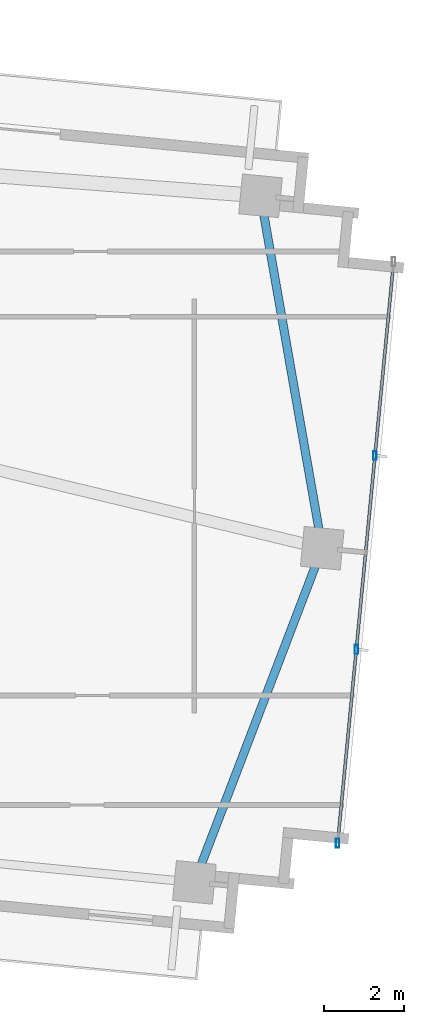
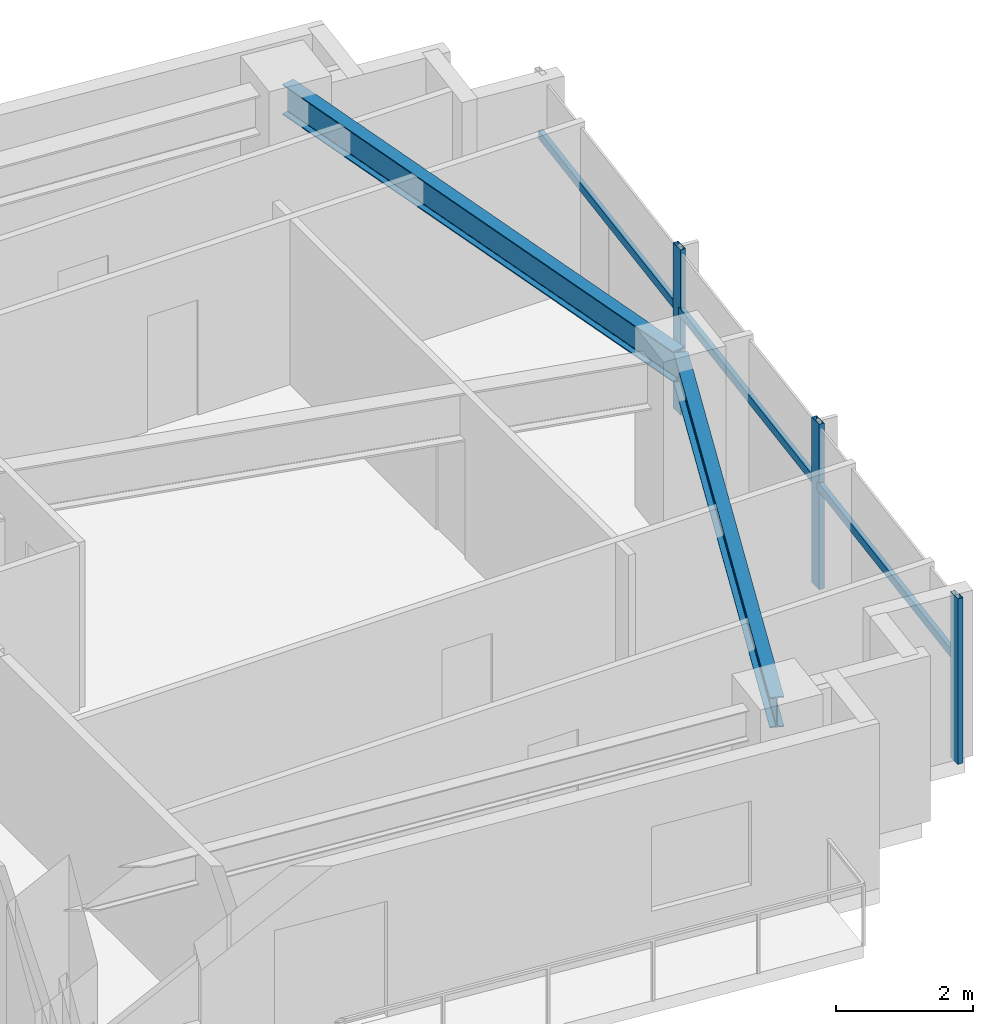
# One storey, part 11 of 20: 6 members, 2 beams, 1 element without a shape of its own.
"""IFC4 building model written with IfcOpenShell, lengths in metres."""

from ifc_helpers import new_model, si_unit, direction, frame, origin, origin_2d, place, context, subcontext, project, spatial, hollow_rectangle, i_section, extrude, source, transform, mapped, material, material_profile, profile_set, type_object, type_shapes, element, aggregate, save


model = new_model("IFC4")

# Units and contexts
model_context = context("Model", 3, precision=1e-05, world=origin(), true_north=direction((0.0, 1.0)))
body_context = subcontext(model_context, "Body", "Model", "MODEL_VIEW")
ifc_project = project(units=[si_unit("LENGTHUNIT", "METRE"), si_unit("AREAUNIT", "SQUARE_METRE"), si_unit("VOLUMEUNIT", "CUBIC_METRE"), si_unit("PLANEANGLEUNIT", "RADIAN"), si_unit("MASSUNIT", "GRAM", prefix="KILO")], contexts=[model_context])

# Site, building, storey
site_placement = place(None, origin())
site = spatial("IfcSite", under=ifc_project, at=site_placement, CompositionType="ELEMENT")
building_placement = place(site_placement, origin())
building = spatial("IfcBuilding", under=site, at=building_placement, Name="Astriad Promenade Condominiums", CompositionType="ELEMENT")
storey_placement = place(building_placement, frame((0.0, 0.0, 134.199951171875)))
storey = spatial("IfcBuildingStorey", under=building, at=storey_placement, Name="L38", CompositionType="ELEMENT", Elevation=134.199951171875)

# Beams
ifc_material_1 = material(Name="Steel ASTM A992 Grade 50", Category="steel")
ifc_material_profile_1 = material_profile(ifc_material_1, i_section(OverallWidth=0.210693359375, OverallDepth=0.53955078125, WebThickness=0.01171875, FlangeThickness=0.018798828125, FilletRadius=0.0166015625, at=origin_2d()), Name="W21X73")
ifc_profile_set_1 = profile_set([ifc_material_profile_1], Name="Steel ASTM A992 Grade 50")
beam_type = type_object("IfcBeamType", Name="STEEL SPANDREL BEAM W21X73", PredefinedType="SPANDREL", material=ifc_profile_set_1)
shared_shape_1 = source(origin(), body_context, "Body", "SweptSolid", [
    extrude(i_section(OverallWidth=0.210693359375, OverallDepth=0.53955078125, WebThickness=0.01171875, FlangeThickness=0.018798828125, FilletRadius=0.0166015625, at=origin_2d()), origin(), (0.0, 0.0, 1.0), 8.8623046875),
])
type_shapes(beam_type, [shared_shape_1])
for number, where, z_axis, x_axis, name in (
    (1, (55.081298828125, 6.033447265625, 2.670166015625), (0.357298632827, 0.933990196405, 0.0), (-0.933990196405, 0.357298632827, 0.0), "Perimeter Spandrel Beam SP-E1-L38"),
    (2, (58.25537109375, 14.3876953125, 2.670166015625), (-0.172532686951, 0.985003792852, 0.0), (-0.985003792852, -0.172532686951, 0.0), "Perimeter Spandrel Beam SP-E2-L38"),
):
    element("IfcBeam", number, at=place(storey_placement, frame(where, z_axis=z_axis, x_axis=x_axis)), inside=storey, type_object=beam_type, Name=name, PredefinedType="SPANDREL", context=body_context, shape_type="MappedRepresentation", body=[
        mapped(shared_shape_1, transform((0.0, 0.0, 0.0), scale=1.0)),
    ])

# Curtain wall, members
ifc_material_2 = material(Name="Anodised aluminium Black Dark Glass Unitised", Category="aluminium")
curtain_wall_type = type_object("IfcCurtainWallType", Name="CW-B34-DARK", PredefinedType="USERDEFINED", material=ifc_material_2)
curtain_wall_placement = place(storey_placement, origin())
curtain_wall = element("IfcCurtainWall", 3, at=curtain_wall_placement, inside=storey, type_object=curtain_wall_type, Name="CW-L38-E", ObjectType="UNITISED_CURTAIN_WALL", PredefinedType="USERDEFINED")
ifc_material_3 = material(Name="Anodised aluminium 6063-T6 Black", Category="aluminium")
ifc_material_profile_2 = material_profile(ifc_material_3, hollow_rectangle(XDim=0.0849609375, YDim=0.219970703125, WallThickness=0.0048828125, at=origin_2d()), Name="ALU-MUL-85X220")
ifc_profile_set_2 = profile_set([ifc_material_profile_2], Name="Anodised aluminium 6063-T6 Black")
member_type_1 = type_object("IfcMemberType", Name="MUL-ALU-MUL-85X220", PredefinedType="MULLION", material=ifc_profile_set_2)
shared_shape_2 = source(origin(), body_context, "Body", "SweptSolid", [
    extrude(hollow_rectangle(XDim=0.0849609375, YDim=0.219970703125, WallThickness=0.0048828125, at=origin_2d()), origin(), (0.0, 0.0, 1.0), 2.93994140625),
])
type_shapes(member_type_1, [shared_shape_2])
member_1_placement = place(storey_placement, frame((59.580322265625, 16.666015625, 0.0), z_axis=(0.0, 0.0, 1.0), x_axis=(1.0, 0.0, 0.0)))
member_1 = element("IfcMember", 4, at=member_1_placement, type_object=member_type_1, Name="CW-L38-E-MUL-01", PredefinedType="MULLION", context=body_context, shape_type="MappedRepresentation", body=[
    mapped(shared_shape_2, transform((0.0, 0.0, 0.0), scale=1.0)),
])
member_2_placement = place(storey_placement, frame((59.114013671875, 11.82177734375, 0.0), z_axis=(0.0, 0.0, 1.0), x_axis=(1.0, 0.0, 0.0)))
member_2 = element("IfcMember", 5, at=member_2_placement, type_object=member_type_1, Name="CW-L38-E-MUL-02", PredefinedType="MULLION", context=body_context, shape_type="MappedRepresentation", body=[
    mapped(shared_shape_2, transform((0.0, 0.0, 0.0), scale=1.0)),
])
member_3_placement = place(storey_placement, frame((58.6474609375, 6.977294921875, 0.0), z_axis=(0.0, 0.0, 1.0), x_axis=(1.0, 0.0, 0.0)))
member_3 = element("IfcMember", 6, at=member_3_placement, type_object=member_type_1, Name="CW-L38-E-MUL-03", PredefinedType="MULLION", context=body_context, shape_type="MappedRepresentation", body=[
    mapped(shared_shape_2, transform((0.0, 0.0, 0.0), scale=1.0)),
])
ifc_material_profile_3 = material_profile(ifc_material_3, hollow_rectangle(XDim=0.074951171875, YDim=0.14990234375, WallThickness=0.004150390625, at=origin_2d()), Name="ALU-TRN-75X150")
ifc_profile_set_3 = profile_set([ifc_material_profile_3], Name="Anodised aluminium 6063-T6 Black")
member_type_2 = type_object("IfcMemberType", Name="TRN-ALU-TRN-75X150", PredefinedType="USERDEFINED", material=ifc_profile_set_3)
shared_shape_3 = source(origin(), body_context, "Body", "SweptSolid", [
    extrude(hollow_rectangle(XDim=0.074951171875, YDim=0.14990234375, WallThickness=0.004150390625, at=origin_2d()), origin(), (0.0, 0.0, 1.0), 4.86669921875),
])
member_4_placement = place(storey_placement, frame((60.046875, 21.51025390625, 1.82275390625), z_axis=(-0.095867260207, -0.995394127178, 0.0), x_axis=(0.995394127178, -0.095867260207, 0.0)))
member_4 = element("IfcMember", 7, at=member_4_placement, type_object=member_type_2, Name="CW-L38-E-TRN-00-0", ObjectType="TRANSOM", PredefinedType="USERDEFINED", context=body_context, shape_type="MappedRepresentation", body=[
    mapped(shared_shape_3, transform((0.0, 0.0, 0.0), scale=1.0)),
])
member_5_placement = place(storey_placement, frame((59.580322265625, 16.666015625, 1.82275390625), z_axis=(-0.095817554883, -0.995398913088, 0.0), x_axis=(0.995398913088, -0.095817554883, 0.0)))
member_5 = element("IfcMember", 8, at=member_5_placement, type_object=member_type_2, Name="CW-L38-E-TRN-01-0", ObjectType="TRANSOM", PredefinedType="USERDEFINED", context=body_context, shape_type="MappedRepresentation", body=[
    mapped(shared_shape_3, transform((0.0, 0.0, 0.0), scale=1.0)),
])
shared_shape_4 = source(origin(), body_context, "Body", "SweptSolid", [
    extrude(hollow_rectangle(XDim=0.074951171875, YDim=0.14990234375, WallThickness=0.004150390625, at=origin_2d()), origin(), (0.0, 0.0, 1.0), 4.866943359375),
])
type_shapes(member_type_2, [shared_shape_3, shared_shape_4])
member_6_placement = place(storey_placement, frame((59.114013671875, 11.82177734375, 1.82275390625), z_axis=(-0.095862473318, -0.995394588196, 0.0), x_axis=(0.995394588196, -0.095862473318, 0.0)))
member_6 = element("IfcMember", 9, at=member_6_placement, type_object=member_type_2, Name="CW-L38-E-TRN-02-0", ObjectType="TRANSOM", PredefinedType="USERDEFINED", context=body_context, shape_type="MappedRepresentation", body=[
    mapped(shared_shape_4, transform((0.0, 0.0, 0.0), scale=1.0)),
])
aggregate(curtain_wall, [member_1, member_2, member_3, member_4, member_5, member_6])

save(model, "model.ifc")
